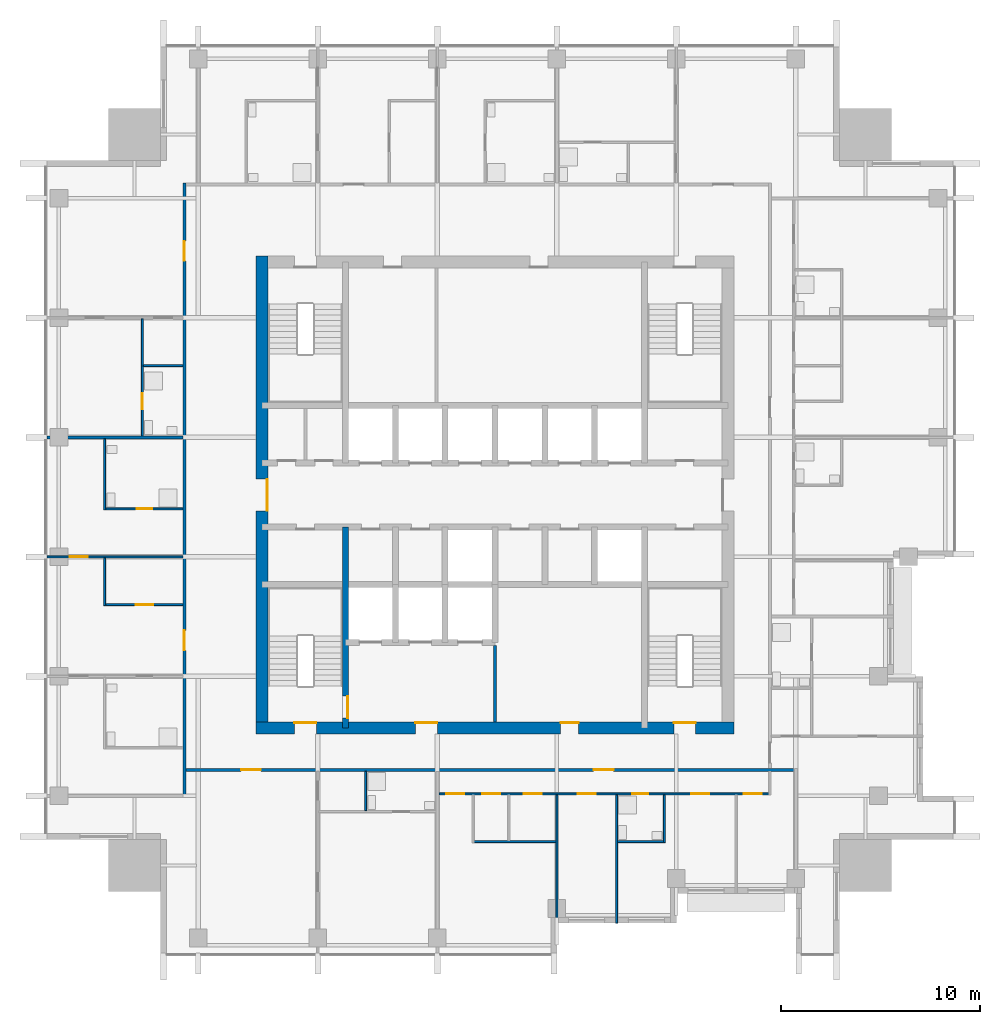
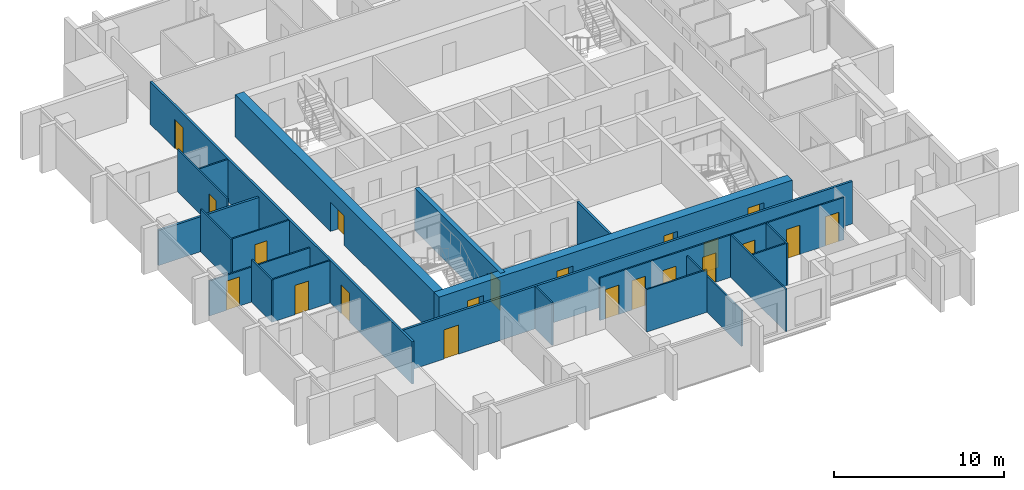
# One storey, part 4 of 10: 21 doors, 21 walls, 21 openings.
"""IFC4 building model written with IfcOpenShell, lengths in metres."""

from ifc_helpers import new_model, si_unit, direction, frame, frame_2d, origin, place, context, subcontext, project, spatial, rectangle, extrude, material, layer, layer_set, type_object, element, fill, save


model = new_model("IFC4")

# Units and contexts
model_context = context("Model", 3, precision=1e-05, world=origin(), true_north=direction((0.0, 1.0)))
body_context = subcontext(model_context, "Body", "Model", "MODEL_VIEW")
ifc_project = project(units=[si_unit("LENGTHUNIT", "METRE"), si_unit("AREAUNIT", "SQUARE_METRE"), si_unit("VOLUMEUNIT", "CUBIC_METRE"), si_unit("PLANEANGLEUNIT", "RADIAN"), si_unit("MASSUNIT", "GRAM", prefix="KILO")], contexts=[model_context])

# Site, building, storey
site_placement = place(None, origin())
site = spatial("IfcSite", under=ifc_project, at=site_placement, CompositionType="ELEMENT")
building_placement = place(site_placement, origin())
building = spatial("IfcBuilding", under=site, at=building_placement, Name="Amberfall Residences", CompositionType="ELEMENT")
storey_placement = place(building_placement, frame((0.0, 0.0, 200.199951171875)))
storey = spatial("IfcBuildingStorey", under=building, at=storey_placement, Name="L53", CompositionType="ELEMENT", Elevation=200.199951171875)

# Wall, opening, door
ifc_material_1 = material(Name="Concrete C55", Category="concrete")
ifc_layer_1 = layer(ifc_material_1, 0.300048828125)
ifc_layer_set_1 = layer_set([ifc_layer_1], Name="Core wall 300 C55")
wall_type_1 = type_object("IfcWallType", Name="Core wall 300 C55", PredefinedType="SHEAR", material=ifc_layer_set_1)
wall_1_placement = place(storey_placement, frame((67.0, 33.800048828125, 0.0), z_axis=(0.0, 0.0, 1.0), x_axis=(0.0, 1.0, 0.0)))
wall_1 = element("IfcWall", 1, at=wall_1_placement, inside=storey, type_object=wall_type_1, Name="Core wall RW8 L53 V45S", PredefinedType="SHEAR", context=body_context, shape_type="SweptSolid", body=[
    extrude(rectangle(XDim=10.099853515625, YDim=0.300048828125, at=frame_2d((5.0498046875, 0.0))), origin(), (0.0, 0.0, 1.0), 3.050048828125),
])
opening_1_placement = place(wall_1_placement, frame((0.5, 0.0, 0.0)))
opening_1 = element("IfcOpeningElement", 2, at=opening_1_placement, cuts=wall_1, Name="Opening FL1", PredefinedType="OPENING", context=body_context, shape_type="SweptSolid", body=[
    extrude(rectangle(XDim=1.10009765625, YDim=2.10009765625, at=frame_2d((0.550048828125, 1.050048828125))), frame((0.0, 0.159912109375, 0.0), z_axis=(0.0, -1.0, 0.0), x_axis=(1.0, 0.0, 0.0)), (0.0, 0.0, 1.0), 0.320068359375),
])
ifc_material_2 = material(Name="Steel fire door set", Category="steel")
door_type_1 = type_object("IfcDoorType", Name="Firefighting lobby door 1100 x 2100", OperationType="SINGLE_SWING_LEFT", PredefinedType="DOOR", material=ifc_material_2)
door_1_placement = place(opening_1_placement, origin())
door_1 = element("IfcDoor", 3, at=door_1_placement, inside=storey, type_object=door_type_1, Name="FL1 L53", OperationType="SINGLE_SWING_RIGHT", OverallHeight=2.10009765625, OverallWidth=1.10009765625, PredefinedType="DOOR", context=body_context, shape_type="SweptSolid", body=[
    extrude(rectangle(XDim=1.10009765625, YDim=2.10009765625, at=frame_2d((0.550048828125, 1.050048828125))), frame((0.0, -0.08740234375, 0.0), z_axis=(0.0, -1.0, 0.0), x_axis=(1.0, 0.0, 0.0)), (0.0, 0.0, 1.0), 0.050048828125),
])
fill(opening_1, door_1)

# Wall, openings, doors
ifc_layer_2 = layer(ifc_material_1, 0.60009765625)
ifc_layer_set_2 = layer_set([ifc_layer_2], Name="Core wall 600 C55")
wall_type_2 = type_object("IfcWallType", Name="Core wall 600 C55", PredefinedType="SHEAR", material=ifc_layer_set_2)
wall_2_placement = place(storey_placement, frame((62.5, 33.800048828125, 0.0), z_axis=(0.0, 0.0, 1.0), x_axis=(1.0, 0.0, 0.0)))
wall_2 = element("IfcWall", 4, at=wall_2_placement, inside=storey, type_object=wall_type_2, Name="Core wall RW7 L53 OS", PredefinedType="SHEAR", context=body_context, shape_type="SweptSolid", body=[
    extrude(rectangle(XDim=24.0, YDim=0.60009765625, at=frame_2d((12.0, 0.0))), origin(), (0.0, 0.0, 1.0), 3.050048828125),
])
opening_2_placement = place(wall_2_placement, frame((1.925048828125, 0.0, 0.0)))
opening_2 = element("IfcOpeningElement", 5, at=opening_2_placement, cuts=wall_2, Name="Opening SD1", PredefinedType="OPENING", context=body_context, shape_type="SweptSolid", body=[
    extrude(rectangle(XDim=1.10009765625, YDim=2.10009765625, at=frame_2d((0.550048828125, 1.050048828125))), frame((0.0, 0.31005859375, 0.0), z_axis=(0.0, -1.0, 0.0), x_axis=(1.0, 0.0, 0.0)), (0.0, 0.0, 1.0), 0.6201171875),
])
opening_3_placement = place(wall_2_placement, frame((20.97509765625, 0.0, 0.0)))
opening_3 = element("IfcOpeningElement", 6, at=opening_3_placement, cuts=wall_2, Name="Opening SD1", PredefinedType="OPENING", context=body_context, shape_type="SweptSolid", body=[
    extrude(rectangle(XDim=1.10009765625, YDim=2.10009765625, at=frame_2d((0.550048828125, 1.050048828125))), frame((0.0, 0.31005859375, 0.0), z_axis=(0.0, -1.0, 0.0), x_axis=(1.0, 0.0, 0.0)), (0.0, 0.0, 1.0), 0.6201171875),
])
opening_4_placement = place(wall_2_placement, frame((8.0, 0.0, 0.0)))
opening_4 = element("IfcOpeningElement", 7, at=opening_4_placement, cuts=wall_2, Name="Opening FL1", PredefinedType="OPENING", context=body_context, shape_type="SweptSolid", body=[
    extrude(rectangle(XDim=1.10009765625, YDim=2.10009765625, at=frame_2d((0.550048828125, 1.050048828125))), frame((0.0, 0.31005859375, 0.0), z_axis=(0.0, -1.0, 0.0), x_axis=(1.0, 0.0, 0.0)), (0.0, 0.0, 1.0), 0.6201171875),
])
opening_5_placement = place(wall_2_placement, frame((15.300048828125, 0.0, 0.0)))
opening_5 = element("IfcOpeningElement", 8, at=opening_5_placement, cuts=wall_2, Name="Opening RD1", PredefinedType="OPENING", context=body_context, shape_type="SweptSolid", body=[
    extrude(rectangle(XDim=0.89990234375, YDim=2.10009765625, at=frame_2d((0.449951171875, 1.050048828125))), frame((0.0, 0.31005859375, 0.0), z_axis=(0.0, -1.0, 0.0), x_axis=(1.0, 0.0, 0.0)), (0.0, 0.0, 1.0), 0.6201171875),
])
door_2_placement = place(opening_4_placement, origin())
door_2 = element("IfcDoor", 9, at=door_2_placement, inside=storey, type_object=door_type_1, Name="FL1 L53", OperationType="SINGLE_SWING_LEFT", OverallHeight=2.10009765625, OverallWidth=1.10009765625, PredefinedType="DOOR", context=body_context, shape_type="SweptSolid", body=[
    extrude(rectangle(XDim=1.10009765625, YDim=2.10009765625, at=frame_2d((0.550048828125, 1.050048828125))), frame((0.0, 0.28759765625, 0.0), z_axis=(0.0, -1.0, 0.0), x_axis=(1.0, 0.0, 0.0)), (0.0, 0.0, 1.0), 0.050048828125),
])
fill(opening_4, door_2)
door_type_2 = type_object("IfcDoorType", Name="Service room door 900 x 2100", OperationType="SINGLE_SWING_LEFT", PredefinedType="DOOR", material=ifc_material_2)
door_3_placement = place(opening_5_placement, origin())
door_3 = element("IfcDoor", 10, at=door_3_placement, inside=storey, type_object=door_type_2, Name="RD1 L53", OperationType="SINGLE_SWING_LEFT", OverallHeight=2.10009765625, OverallWidth=0.89990234375, PredefinedType="DOOR", context=body_context, shape_type="SweptSolid", body=[
    extrude(rectangle(XDim=0.89990234375, YDim=2.10009765625, at=frame_2d((0.449951171875, 1.050048828125))), frame((0.0, 0.28759765625, 0.0), z_axis=(0.0, -1.0, 0.0), x_axis=(1.0, 0.0, 0.0)), (0.0, 0.0, 1.0), 0.050048828125),
])
fill(opening_5, door_3)
door_type_3 = type_object("IfcDoorType", Name="Stair door 1100 x 2100", OperationType="SINGLE_SWING_LEFT", PredefinedType="DOOR", material=ifc_material_2)
door_4_placement = place(opening_2_placement, origin())
door_4 = element("IfcDoor", 11, at=door_4_placement, inside=storey, type_object=door_type_3, Name="SD1 L53", OperationType="SINGLE_SWING_LEFT", OverallHeight=2.10009765625, OverallWidth=1.10009765625, PredefinedType="DOOR", context=body_context, shape_type="SweptSolid", body=[
    extrude(rectangle(XDim=1.10009765625, YDim=2.10009765625, at=frame_2d((0.550048828125, 1.050048828125))), frame((0.0, 0.28759765625, 0.0), z_axis=(0.0, -1.0, 0.0), x_axis=(1.0, 0.0, 0.0)), (0.0, 0.0, 1.0), 0.050048828125),
])
fill(opening_2, door_4)
door_5_placement = place(opening_3_placement, origin())
door_5 = element("IfcDoor", 12, at=door_5_placement, inside=storey, type_object=door_type_3, Name="SD1 L53", OperationType="SINGLE_SWING_RIGHT", OverallHeight=2.10009765625, OverallWidth=1.10009765625, PredefinedType="DOOR", context=body_context, shape_type="SweptSolid", body=[
    extrude(rectangle(XDim=1.10009765625, YDim=2.10009765625, at=frame_2d((0.550048828125, 1.050048828125))), frame((0.0, 0.28759765625, 0.0), z_axis=(0.0, -1.0, 0.0), x_axis=(1.0, 0.0, 0.0)), (0.0, 0.0, 1.0), 0.050048828125),
])
fill(opening_3, door_5)

# Wall, opening, door
wall_3_placement = place(storey_placement, frame((62.800048828125, 33.5, 0.0), z_axis=(0.0, 0.0, 1.0), x_axis=(0.0, 1.0, 0.0)))
wall_3 = element("IfcWall", 13, at=wall_3_placement, inside=storey, type_object=wall_type_2, Name="Core wall RW7 L53 OW", PredefinedType="SHEAR", context=body_context, shape_type="SweptSolid", body=[
    extrude(rectangle(XDim=24.0, YDim=0.60009765625, at=frame_2d((12.0, 0.0))), origin(), (0.0, 0.0, 1.0), 3.050048828125),
])
opening_6_placement = place(wall_3_placement, frame((11.199951171875, 0.0, 0.0)))
opening_6 = element("IfcOpeningElement", 14, at=opening_6_placement, cuts=wall_3, Name="Opening LB1", PredefinedType="OPENING", context=body_context, shape_type="SweptSolid", body=[
    extrude(rectangle(XDim=1.60009765625, YDim=2.10009765625, at=frame_2d((0.800048828125, 1.050048828125))), frame((0.0, 0.31005859375, 0.0), z_axis=(0.0, -1.0, 0.0), x_axis=(1.0, 0.0, 0.0)), (0.0, 0.0, 1.0), 0.6201171875),
])
door_type_4 = type_object("IfcDoorType", Name="Lift lobby double door 1600 x 2100", OperationType="DOUBLE_DOOR_SINGLE_SWING", PredefinedType="DOOR", material=ifc_material_2)
door_6_placement = place(opening_6_placement, origin())
door_6 = element("IfcDoor", 15, at=door_6_placement, inside=storey, type_object=door_type_4, Name="LB1 L53", OperationType="DOUBLE_DOOR_SINGLE_SWING", OverallHeight=2.10009765625, OverallWidth=1.60009765625, PredefinedType="DOOR", context=body_context, shape_type="SweptSolid", body=[
    extrude(rectangle(XDim=1.60009765625, YDim=2.10009765625, at=frame_2d((0.800048828125, 1.050048828125))), frame((0.0, -0.2373046875, 0.0), z_axis=(0.0, -1.0, 0.0), x_axis=(1.0, 0.0, 0.0)), (0.0, 0.0, 1.0), 0.050048828125),
])
fill(opening_6, door_6)

# Walls
ifc_material_3 = material(Name="Gypsum board on metal stud")
ifc_layer_3 = layer(ifc_material_3, 0.10009765625)
ifc_layer_set_3 = layer_set([ifc_layer_3], Name="Flat partition 100")
wall_type_3 = type_object("IfcWallType", Name="Flat partition 100", PredefinedType="PARTITIONING", material=ifc_layer_set_3)
wall_4_placement = place(storey_placement, frame((54.89990234375, 39.949951171875, 0.0), z_axis=(0.0, 0.0, 1.0), x_axis=(0.0, 1.0, 0.0)))
element("IfcWall", 16, at=wall_4_placement, inside=storey, type_object=wall_type_3, Name="Partition 002", PredefinedType="PARTITIONING", context=body_context, shape_type="SweptSolid", body=[
    extrude(rectangle(XDim=2.400146484375, YDim=0.10009765625, at=frame_2d((1.2001953125, 0.0))), origin(), (0.0, 0.0, 1.0), 3.050048828125),
])
wall_5_placement = place(storey_placement, frame((54.89990234375, 44.75, 0.0), z_axis=(0.0, 0.0, 1.0), x_axis=(0.0, 1.0, 0.0)))
element("IfcWall", 17, at=wall_5_placement, inside=storey, type_object=wall_type_3, Name="Partition 003", PredefinedType="PARTITIONING", context=body_context, shape_type="SweptSolid", body=[
    extrude(rectangle(XDim=3.574951171875, YDim=0.10009765625, at=frame_2d((1.78759765625, 0.0))), origin(), (0.0, 0.0, 1.0), 3.050048828125),
])

# Wall, opening, door
wall_6_placement = place(storey_placement, frame((56.800048828125, 54.35009765625, 0.0), z_axis=(0.0, 0.0, 1.0), x_axis=(0.0, -1.0, 0.0)))
wall_6 = element("IfcWall", 18, at=wall_6_placement, inside=storey, type_object=wall_type_3, Name="Partition 004", PredefinedType="PARTITIONING", context=body_context, shape_type="SweptSolid", body=[
    extrude(rectangle(XDim=5.875, YDim=0.10009765625, at=frame_2d((2.9375, 0.0))), origin(), (0.0, 0.0, 1.0), 3.050048828125),
])
opening_7_placement = place(wall_6_placement, frame((3.75, 0.0, 0.0)))
opening_7 = element("IfcOpeningElement", 19, at=opening_7_placement, cuts=wall_6, Name="Opening D42", PredefinedType="OPENING", context=body_context, shape_type="SweptSolid", body=[
    extrude(rectangle(XDim=0.800048828125, YDim=2.10009765625, at=frame_2d((0.39990234375, 1.050048828125))), frame((0.0, 0.06005859375, 0.0), z_axis=(0.0, -1.0, 0.0), x_axis=(1.0, 0.0, 0.0)), (0.0, 0.0, 1.0), 0.1201171875),
])
ifc_material_4 = material(Name="Timber", Category="wood")
door_type_5 = type_object("IfcDoorType", Name="Bathroom door 800 x 2100", OperationType="SINGLE_SWING_LEFT", PredefinedType="DOOR", material=ifc_material_4)
door_7_placement = place(opening_7_placement, origin())
door_7 = element("IfcDoor", 20, at=door_7_placement, inside=storey, type_object=door_type_5, Name="Door 5308 bath1", OperationType="SINGLE_SWING_LEFT", OverallHeight=2.10009765625, OverallWidth=0.800048828125, PredefinedType="DOOR", context=body_context, shape_type="SweptSolid", body=[
    extrude(rectangle(XDim=0.800048828125, YDim=2.10009765625, at=frame_2d((0.39990234375, 1.050048828125))), frame((0.0, 0.02490234375, 0.0), z_axis=(0.0, -1.0, 0.0), x_axis=(1.0, 0.0, 0.0)), (0.0, 0.0, 1.0), 0.050048828125),
])
fill(opening_7, door_7)

# Walls
wall_7_placement = place(storey_placement, frame((68.0, 29.64990234375, 0.0), z_axis=(0.0, 0.0, 1.0), x_axis=(0.0, 1.0, 0.0)))
element("IfcWall", 21, at=wall_7_placement, inside=storey, type_object=wall_type_3, Name="Partition 008", PredefinedType="PARTITIONING", context=body_context, shape_type="SweptSolid", body=[
    extrude(rectangle(XDim=1.97509765625, YDim=0.10009765625, at=frame_2d((0.987548828125, 0.0))), origin(), (0.0, 0.0, 1.0), 3.050048828125),
])
wall_8_placement = place(storey_placement, frame((77.60009765625, 24.0, 0.0), z_axis=(0.0, 0.0, 1.0), x_axis=(0.0, 1.0, 0.0)))
element("IfcWall", 22, at=wall_8_placement, inside=storey, type_object=wall_type_3, Name="Partition 014", PredefinedType="PARTITIONING", context=body_context, shape_type="SweptSolid", body=[
    extrude(rectangle(XDim=6.449951171875, YDim=0.10009765625, at=frame_2d((3.22509765625, 0.0))), origin(), (0.0, 0.0, 1.0), 2.590087890625),
])
wall_9_placement = place(storey_placement, frame((80.60009765625, 24.0, 0.0), z_axis=(0.0, 0.0, 1.0), x_axis=(0.0, 1.0, 0.0)))
element("IfcWall", 23, at=wall_9_placement, inside=storey, type_object=wall_type_3, Name="Partition 015", PredefinedType="PARTITIONING", context=body_context, shape_type="SweptSolid", body=[
    extrude(rectangle(XDim=6.449951171875, YDim=0.10009765625, at=frame_2d((3.22509765625, 0.0))), origin(), (0.0, 0.0, 1.0), 3.050048828125),
])
wall_10_placement = place(storey_placement, frame((83.0, 28.050048828125, 0.0), z_axis=(0.0, 0.0, 1.0), x_axis=(0.0, 1.0, 0.0)))
element("IfcWall", 24, at=wall_10_placement, inside=storey, type_object=wall_type_3, Name="Partition 017", PredefinedType="PARTITIONING", context=body_context, shape_type="SweptSolid", body=[
    extrude(rectangle(XDim=2.39990234375, YDim=0.10009765625, at=frame_2d((1.199951171875, 0.0))), origin(), (0.0, 0.0, 1.0), 3.050048828125),
])
wall_11_placement = place(storey_placement, frame((56.85009765625, 52.0, 0.0), z_axis=(0.0, 0.0, 1.0), x_axis=(1.0, 0.0, 0.0)))
element("IfcWall", 25, at=wall_11_placement, inside=storey, type_object=wall_type_3, Name="Partition 032", PredefinedType="PARTITIONING", context=body_context, shape_type="SweptSolid", body=[
    extrude(rectangle(XDim=1.974853515625, YDim=0.10009765625, at=frame_2d((0.9873046875, 0.0))), origin(), (0.0, 0.0, 1.0), 3.050048828125),
])

# Wall, opening, door
wall_12_placement = place(storey_placement, frame((54.949951171875, 44.800048828125, 0.0), z_axis=(0.0, 0.0, 1.0), x_axis=(1.0, 0.0, 0.0)))
wall_12 = element("IfcWall", 26, at=wall_12_placement, inside=storey, type_object=wall_type_3, Name="Partition 037", PredefinedType="PARTITIONING", context=body_context, shape_type="SweptSolid", body=[
    extrude(rectangle(XDim=3.875, YDim=0.10009765625, at=frame_2d((1.9375, 0.0))), origin(), (0.0, 0.0, 1.0), 3.050048828125),
])
opening_8_placement = place(wall_12_placement, frame((1.550048828125, 0.0, 0.0)))
opening_8 = element("IfcOpeningElement", 27, at=opening_8_placement, cuts=wall_12, Name="Opening D42", PredefinedType="OPENING", context=body_context, shape_type="SweptSolid", body=[
    extrude(rectangle(XDim=0.800048828125, YDim=2.10009765625, at=frame_2d((0.39990234375, 1.050048828125))), frame((0.0, 0.06005859375, 0.0), z_axis=(0.0, -1.0, 0.0), x_axis=(1.0, 0.0, 0.0)), (0.0, 0.0, 1.0), 0.1201171875),
])
door_8_placement = place(opening_8_placement, origin())
door_8 = element("IfcDoor", 28, at=door_8_placement, inside=storey, type_object=door_type_5, Name="Door 5307 bath2", OperationType="SINGLE_SWING_LEFT", OverallHeight=2.10009765625, OverallWidth=0.800048828125, PredefinedType="DOOR", context=body_context, shape_type="SweptSolid", body=[
    extrude(rectangle(XDim=0.800048828125, YDim=2.10009765625, at=frame_2d((0.39990234375, 1.050048828125))), frame((0.0, 0.02490234375, 0.0), z_axis=(0.0, -1.0, 0.0), x_axis=(1.0, 0.0, 0.0)), (0.0, 0.0, 1.0), 0.050048828125),
])
fill(opening_8, door_8)

wall_13_placement = place(storey_placement, frame((52.0, 42.39990234375, 0.0), z_axis=(0.0, 0.0, 1.0), x_axis=(1.0, 0.0, 0.0)))
wall_13 = element("IfcWall", 29, at=wall_13_placement, inside=storey, type_object=wall_type_3, Name="Partition 038", PredefinedType="PARTITIONING", context=body_context, shape_type="SweptSolid", body=[
    extrude(rectangle(XDim=6.824951171875, YDim=0.10009765625, at=frame_2d((3.41259765625, 0.0))), origin(), (0.0, 0.0, 1.0), 2.51611328125),
])
opening_9_placement = place(wall_13_placement, frame((1.14990234375, 0.0, 0.0)))
opening_9 = element("IfcOpeningElement", 30, at=opening_9_placement, cuts=wall_13, Name="Opening D41", PredefinedType="OPENING", context=body_context, shape_type="SweptSolid", body=[
    extrude(rectangle(XDim=0.89990234375, YDim=2.10009765625, at=frame_2d((0.449951171875, 1.050048828125))), frame((0.0, 0.06005859375, 0.0), z_axis=(0.0, -1.0, 0.0), x_axis=(1.0, 0.0, 0.0)), (0.0, 0.0, 1.0), 0.1201171875),
])
door_type_6 = type_object("IfcDoorType", Name="Internal door 900 x 2100", OperationType="SINGLE_SWING_LEFT", PredefinedType="DOOR", material=ifc_material_4)
door_9_placement = place(opening_9_placement, origin())
door_9 = element("IfcDoor", 31, at=door_9_placement, inside=storey, type_object=door_type_6, Name="Door 5307 bedroom2", OperationType="SINGLE_SWING_LEFT", OverallHeight=2.10009765625, OverallWidth=0.89990234375, PredefinedType="DOOR", context=body_context, shape_type="SweptSolid", body=[
    extrude(rectangle(XDim=0.89990234375, YDim=2.10009765625, at=frame_2d((0.449951171875, 1.050048828125))), frame((0.0, 0.02490234375, 0.0), z_axis=(0.0, -1.0, 0.0), x_axis=(1.0, 0.0, 0.0)), (0.0, 0.0, 1.0), 0.050048828125),
])
fill(opening_9, door_9)

wall_14_placement = place(storey_placement, frame((54.949951171875, 40.0, 0.0), z_axis=(0.0, 0.0, 1.0), x_axis=(1.0, 0.0, 0.0)))
wall_14 = element("IfcWall", 32, at=wall_14_placement, inside=storey, type_object=wall_type_3, Name="Partition 040", PredefinedType="PARTITIONING", context=body_context, shape_type="SweptSolid", body=[
    extrude(rectangle(XDim=3.875, YDim=0.10009765625, at=frame_2d((1.9375, 0.0))), origin(), (0.0, 0.0, 1.0), 3.050048828125),
])
opening_10_placement = place(wall_14_placement, frame((1.5, 0.0, 0.0)))
opening_10 = element("IfcOpeningElement", 33, at=opening_10_placement, cuts=wall_14, Name="Opening D41", PredefinedType="OPENING", context=body_context, shape_type="SweptSolid", body=[
    extrude(rectangle(XDim=0.89990234375, YDim=2.10009765625, at=frame_2d((0.449951171875, 1.050048828125))), frame((0.0, 0.06005859375, 0.0), z_axis=(0.0, -1.0, 0.0), x_axis=(1.0, 0.0, 0.0)), (0.0, 0.0, 1.0), 0.1201171875),
])
door_10_placement = place(opening_10_placement, origin())
door_10 = element("IfcDoor", 34, at=door_10_placement, inside=storey, type_object=door_type_6, Name="Door 5307 kitchen", OperationType="SINGLE_SWING_LEFT", OverallHeight=2.10009765625, OverallWidth=0.89990234375, PredefinedType="DOOR", context=body_context, shape_type="SweptSolid", body=[
    extrude(rectangle(XDim=0.89990234375, YDim=2.10009765625, at=frame_2d((0.449951171875, 1.050048828125))), frame((0.0, 0.02490234375, 0.0), z_axis=(0.0, -1.0, 0.0), x_axis=(1.0, 0.0, 0.0)), (0.0, 0.0, 1.0), 0.050048828125),
])
fill(opening_10, door_10)

# Wall, openings, doors
wall_15_placement = place(storey_placement, frame((88.25, 30.5, 0.0), z_axis=(0.0, 0.0, 1.0), x_axis=(-1.0, 0.0, 0.0)))
wall_15 = element("IfcWall", 35, at=wall_15_placement, inside=storey, type_object=wall_type_3, Name="Partition 045", PredefinedType="PARTITIONING", context=body_context, shape_type="SweptSolid", body=[
    extrude(rectangle(XDim=16.574951171875, YDim=0.10009765625, at=frame_2d((8.28759765625, 0.0))), origin(), (0.0, 0.0, 1.0), 3.050048828125),
])
opening_11_placement = place(wall_15_placement, frame((15.300048828125, 0.0, 0.0)))
opening_11 = element("IfcOpeningElement", 36, at=opening_11_placement, cuts=wall_15, Name="Opening D41", PredefinedType="OPENING", context=body_context, shape_type="SweptSolid", body=[
    extrude(rectangle(XDim=0.89990234375, YDim=2.10009765625, at=frame_2d((0.449951171875, 1.050048828125))), frame((0.0, 0.06005859375, 0.0), z_axis=(0.0, -1.0, 0.0), x_axis=(1.0, 0.0, 0.0)), (0.0, 0.0, 1.0), 0.1201171875),
])
opening_12_placement = place(wall_15_placement, frame((11.39990234375, 0.0, 0.0)))
opening_12 = element("IfcOpeningElement", 37, at=opening_12_placement, cuts=wall_15, Name="Opening D41", PredefinedType="OPENING", context=body_context, shape_type="SweptSolid", body=[
    extrude(rectangle(XDim=0.89990234375, YDim=2.10009765625, at=frame_2d((0.449951171875, 1.050048828125))), frame((0.0, 0.06005859375, 0.0), z_axis=(0.0, -1.0, 0.0), x_axis=(1.0, 0.0, 0.0)), (0.0, 0.0, 1.0), 0.1201171875),
])
opening_13_placement = place(wall_15_placement, frame((13.5, 0.0, 0.0)))
opening_13 = element("IfcOpeningElement", 38, at=opening_13_placement, cuts=wall_15, Name="Opening D41", PredefinedType="OPENING", context=body_context, shape_type="SweptSolid", body=[
    extrude(rectangle(XDim=0.89990234375, YDim=2.10009765625, at=frame_2d((0.449951171875, 1.050048828125))), frame((0.0, 0.06005859375, 0.0), z_axis=(0.0, -1.0, 0.0), x_axis=(1.0, 0.0, 0.0)), (0.0, 0.0, 1.0), 0.1201171875),
])
opening_14_placement = place(wall_15_placement, frame((8.699951171875, 0.0, 0.0)))
opening_14 = element("IfcOpeningElement", 39, at=opening_14_placement, cuts=wall_15, Name="Opening D41", PredefinedType="OPENING", context=body_context, shape_type="SweptSolid", body=[
    extrude(rectangle(XDim=0.89990234375, YDim=2.10009765625, at=frame_2d((0.449951171875, 1.050048828125))), frame((0.0, 0.06005859375, 0.0), z_axis=(0.0, -1.0, 0.0), x_axis=(1.0, 0.0, 0.0)), (0.0, 0.0, 1.0), 0.1201171875),
])
opening_15_placement = place(wall_15_placement, frame((3.0, 0.0, 0.0)))
opening_15 = element("IfcOpeningElement", 40, at=opening_15_placement, cuts=wall_15, Name="Opening D41", PredefinedType="OPENING", context=body_context, shape_type="SweptSolid", body=[
    extrude(rectangle(XDim=0.89990234375, YDim=2.10009765625, at=frame_2d((0.449951171875, 1.050048828125))), frame((0.0, 0.06005859375, 0.0), z_axis=(0.0, -1.0, 0.0), x_axis=(1.0, 0.0, 0.0)), (0.0, 0.0, 1.0), 0.1201171875),
])
opening_16_placement = place(wall_15_placement, frame((0.35009765625, 0.0, 0.0)))
opening_16 = element("IfcOpeningElement", 41, at=opening_16_placement, cuts=wall_15, Name="Opening D41", PredefinedType="OPENING", context=body_context, shape_type="SweptSolid", body=[
    extrude(rectangle(XDim=0.89990234375, YDim=2.10009765625, at=frame_2d((0.449951171875, 1.050048828125))), frame((0.0, 0.06005859375, 0.0), z_axis=(0.0, -1.0, 0.0), x_axis=(1.0, 0.0, 0.0)), (0.0, 0.0, 1.0), 0.1201171875),
])
opening_17_placement = place(wall_15_placement, frame((6.050048828125, 0.0, 0.0)))
opening_17 = element("IfcOpeningElement", 42, at=opening_17_placement, cuts=wall_15, Name="Opening D42", PredefinedType="OPENING", context=body_context, shape_type="SweptSolid", body=[
    extrude(rectangle(XDim=0.800048828125, YDim=2.10009765625, at=frame_2d((0.39990234375, 1.050048828125))), frame((0.0, 0.06005859375, 0.0), z_axis=(0.0, -1.0, 0.0), x_axis=(1.0, 0.0, 0.0)), (0.0, 0.0, 1.0), 0.1201171875),
])
door_11_placement = place(opening_17_placement, origin())
door_11 = element("IfcDoor", 43, at=door_11_placement, inside=storey, type_object=door_type_5, Name="Door 5302 bath1", OperationType="SINGLE_SWING_LEFT", OverallHeight=2.10009765625, OverallWidth=0.800048828125, PredefinedType="DOOR", context=body_context, shape_type="SweptSolid", body=[
    extrude(rectangle(XDim=0.800048828125, YDim=2.10009765625, at=frame_2d((0.39990234375, 1.050048828125))), frame((0.0, 0.02490234375, 0.0), z_axis=(0.0, -1.0, 0.0), x_axis=(1.0, 0.0, 0.0)), (0.0, 0.0, 1.0), 0.050048828125),
])
fill(opening_17, door_11)
door_12_placement = place(opening_11_placement, origin())
door_12 = element("IfcDoor", 44, at=door_12_placement, inside=storey, type_object=door_type_6, Name="Door 5302 living", OperationType="SINGLE_SWING_LEFT", OverallHeight=2.10009765625, OverallWidth=0.89990234375, PredefinedType="DOOR", context=body_context, shape_type="SweptSolid", body=[
    extrude(rectangle(XDim=0.89990234375, YDim=2.10009765625, at=frame_2d((0.449951171875, 1.050048828125))), frame((0.0, 0.02490234375, 0.0), z_axis=(0.0, -1.0, 0.0), x_axis=(1.0, 0.0, 0.0)), (0.0, 0.0, 1.0), 0.050048828125),
])
fill(opening_11, door_12)
door_13_placement = place(opening_12_placement, origin())
door_13 = element("IfcDoor", 45, at=door_13_placement, inside=storey, type_object=door_type_6, Name="Door 5302 kitchen", OperationType="SINGLE_SWING_LEFT", OverallHeight=2.10009765625, OverallWidth=0.89990234375, PredefinedType="DOOR", context=body_context, shape_type="SweptSolid", body=[
    extrude(rectangle(XDim=0.89990234375, YDim=2.10009765625, at=frame_2d((0.449951171875, 1.050048828125))), frame((0.0, 0.02490234375, 0.0), z_axis=(0.0, -1.0, 0.0), x_axis=(1.0, 0.0, 0.0)), (0.0, 0.0, 1.0), 0.050048828125),
])
fill(opening_12, door_13)
door_14_placement = place(opening_13_placement, origin())
door_14 = element("IfcDoor", 46, at=door_14_placement, inside=storey, type_object=door_type_6, Name="Door 5302 utility", OperationType="SINGLE_SWING_LEFT", OverallHeight=2.10009765625, OverallWidth=0.89990234375, PredefinedType="DOOR", context=body_context, shape_type="SweptSolid", body=[
    extrude(rectangle(XDim=0.89990234375, YDim=2.10009765625, at=frame_2d((0.449951171875, 1.050048828125))), frame((0.0, 0.02490234375, 0.0), z_axis=(0.0, -1.0, 0.0), x_axis=(1.0, 0.0, 0.0)), (0.0, 0.0, 1.0), 0.050048828125),
])
fill(opening_13, door_14)
door_15_placement = place(opening_14_placement, origin())
door_15 = element("IfcDoor", 47, at=door_15_placement, inside=storey, type_object=door_type_6, Name="Door 5302 bedroom1", OperationType="SINGLE_SWING_LEFT", OverallHeight=2.10009765625, OverallWidth=0.89990234375, PredefinedType="DOOR", context=body_context, shape_type="SweptSolid", body=[
    extrude(rectangle(XDim=0.89990234375, YDim=2.10009765625, at=frame_2d((0.449951171875, 1.050048828125))), frame((0.0, 0.02490234375, 0.0), z_axis=(0.0, -1.0, 0.0), x_axis=(1.0, 0.0, 0.0)), (0.0, 0.0, 1.0), 0.050048828125),
])
fill(opening_14, door_15)
door_16_placement = place(opening_15_placement, origin())
door_16 = element("IfcDoor", 48, at=door_16_placement, inside=storey, type_object=door_type_6, Name="Door 5302 bedroom2", OperationType="SINGLE_SWING_LEFT", OverallHeight=2.10009765625, OverallWidth=0.89990234375, PredefinedType="DOOR", context=body_context, shape_type="SweptSolid", body=[
    extrude(rectangle(XDim=0.89990234375, YDim=2.10009765625, at=frame_2d((0.449951171875, 1.050048828125))), frame((0.0, 0.02490234375, 0.0), z_axis=(0.0, -1.0, 0.0), x_axis=(1.0, 0.0, 0.0)), (0.0, 0.0, 1.0), 0.050048828125),
])
fill(opening_15, door_16)
door_17_placement = place(opening_16_placement, origin())
door_17 = element("IfcDoor", 49, at=door_17_placement, inside=storey, type_object=door_type_6, Name="Door 5302 bedroom3", OperationType="SINGLE_SWING_LEFT", OverallHeight=2.10009765625, OverallWidth=0.89990234375, PredefinedType="DOOR", context=body_context, shape_type="SweptSolid", body=[
    extrude(rectangle(XDim=0.89990234375, YDim=2.10009765625, at=frame_2d((0.449951171875, 1.050048828125))), frame((0.0, 0.02490234375, 0.0), z_axis=(0.0, -1.0, 0.0), x_axis=(1.0, 0.0, 0.0)), (0.0, 0.0, 1.0), 0.050048828125),
])
fill(opening_16, door_17)

# Walls
wall_16_placement = place(storey_placement, frame((73.449951171875, 28.10009765625, 0.0), z_axis=(0.0, 0.0, 1.0), x_axis=(1.0, 0.0, 0.0)))
element("IfcWall", 50, at=wall_16_placement, inside=storey, type_object=wall_type_3, Name="Partition 047", PredefinedType="PARTITIONING", context=body_context, shape_type="SweptSolid", body=[
    extrude(rectangle(XDim=4.10009765625, YDim=0.10009765625, at=frame_2d((2.050048828125, 0.0))), origin(), (0.0, 0.0, 1.0), 3.050048828125),
])
wall_17_placement = place(storey_placement, frame((80.64990234375, 28.10009765625, 0.0), z_axis=(0.0, 0.0, 1.0), x_axis=(1.0, 0.0, 0.0)))
element("IfcWall", 51, at=wall_17_placement, inside=storey, type_object=wall_type_3, Name="Partition 048", PredefinedType="PARTITIONING", context=body_context, shape_type="SweptSolid", body=[
    extrude(rectangle(XDim=2.300048828125, YDim=0.10009765625, at=frame_2d((1.14990234375, 0.0))), origin(), (0.0, 0.0, 1.0), 3.050048828125),
])

# Wall, openings, doors
ifc_material_5 = material(Name="Blockwork, plastered", Category="masonry")
ifc_layer_4 = layer(ifc_material_5, 0.14990234375)
ifc_layer_set_4 = layer_set([ifc_layer_4], Name="Flat separating wall 150")
wall_type_4 = type_object("IfcWallType", Name="Flat separating wall 150", PredefinedType="PARTITIONING", material=ifc_layer_set_4)
wall_18_placement = place(storey_placement, frame((58.89990234375, 30.324951171875, 0.0), z_axis=(0.0, 0.0, 1.0), x_axis=(0.0, 1.0, 0.0)))
wall_18 = element("IfcWall", 52, at=wall_18_placement, inside=storey, type_object=wall_type_4, Name="Separating wall 049", PredefinedType="PARTITIONING", context=body_context, shape_type="SweptSolid", body=[
    extrude(rectangle(XDim=30.85009765625, YDim=0.14990234375, at=frame_2d((15.425048828125, 0.0))), origin(), (0.0, 0.0, 1.0), 3.050048828125),
])
opening_18_placement = place(wall_18_placement, frame((7.375, 0.0, 0.0)))
opening_18 = element("IfcOpeningElement", 53, at=opening_18_placement, cuts=wall_18, Name="Opening D40", PredefinedType="OPENING", context=body_context, shape_type="SweptSolid", body=[
    extrude(rectangle(XDim=1.0, YDim=2.10009765625, at=frame_2d((0.5, 1.050048828125))), frame((0.0, 0.0849609375, 0.0), z_axis=(0.0, -1.0, 0.0), x_axis=(1.0, 0.0, 0.0)), (0.0, 0.0, 1.0), 0.169921875),
])
opening_19_placement = place(wall_18_placement, frame((26.925048828125, 0.0, 0.0)))
opening_19 = element("IfcOpeningElement", 54, at=opening_19_placement, cuts=wall_18, Name="Opening D40", PredefinedType="OPENING", context=body_context, shape_type="SweptSolid", body=[
    extrude(rectangle(XDim=1.0, YDim=2.10009765625, at=frame_2d((0.5, 1.050048828125))), frame((0.0, 0.0849609375, 0.0), z_axis=(0.0, -1.0, 0.0), x_axis=(1.0, 0.0, 0.0)), (0.0, 0.0, 1.0), 0.169921875),
])
ifc_material_6 = material(Name="Timber, fire-rated", Category="wood")
door_type_7 = type_object("IfcDoorType", Name="Flat entrance door FD60 1000 x 2100", OperationType="SINGLE_SWING_LEFT", PredefinedType="DOOR", material=ifc_material_6)
door_18_placement = place(opening_18_placement, origin())
door_18 = element("IfcDoor", 55, at=door_18_placement, inside=storey, type_object=door_type_7, Name="Door 5307 entrance", OperationType="SINGLE_SWING_LEFT", OverallHeight=2.10009765625, OverallWidth=1.0, PredefinedType="DOOR", context=body_context, shape_type="SweptSolid", body=[
    extrude(rectangle(XDim=1.0, YDim=2.10009765625, at=frame_2d((0.5, 1.050048828125))), frame((0.0, 0.02490234375, 0.0), z_axis=(0.0, -1.0, 0.0), x_axis=(1.0, 0.0, 0.0)), (0.0, 0.0, 1.0), 0.050048828125),
])
fill(opening_18, door_18)
door_19_placement = place(opening_19_placement, origin())
door_19 = element("IfcDoor", 56, at=door_19_placement, inside=storey, type_object=door_type_7, Name="Door 5308 entrance", OperationType="SINGLE_SWING_LEFT", OverallHeight=2.10009765625, OverallWidth=1.0, PredefinedType="DOOR", context=body_context, shape_type="SweptSolid", body=[
    extrude(rectangle(XDim=1.0, YDim=2.10009765625, at=frame_2d((0.5, 1.050048828125))), frame((0.0, 0.02490234375, 0.0), z_axis=(0.0, -1.0, 0.0), x_axis=(1.0, 0.0, 0.0)), (0.0, 0.0, 1.0), 0.050048828125),
])
fill(opening_19, door_19)

# Wall
wall_19_placement = place(storey_placement, frame((52.0, 48.39990234375, 0.0), z_axis=(0.0, 0.0, 1.0), x_axis=(1.0, 0.0, 0.0)))
element("IfcWall", 57, at=wall_19_placement, inside=storey, type_object=wall_type_4, Name="Separating wall 057", PredefinedType="PARTITIONING", context=body_context, shape_type="SweptSolid", body=[
    extrude(rectangle(XDim=6.824951171875, YDim=0.14990234375, at=frame_2d((3.41259765625, 0.0))), origin(), (0.0, 0.0, 1.0), 2.51611328125),
])

# Wall, openings, doors
wall_20_placement = place(storey_placement, frame((89.52490234375, 31.699951171875, 0.0), z_axis=(0.0, 0.0, 1.0), x_axis=(-1.0, 0.0, 0.0)))
wall_20 = element("IfcWall", 58, at=wall_20_placement, inside=storey, type_object=wall_type_4, Name="Separating wall 059", PredefinedType="PARTITIONING", context=body_context, shape_type="SweptSolid", body=[
    extrude(rectangle(XDim=30.5498046875, YDim=0.14990234375, at=frame_2d((15.27490234375, 0.0))), origin(), (0.0, 0.0, 1.0), 3.050048828125),
])
opening_20_placement = place(wall_20_placement, frame((26.77490234375, 0.0, 0.0)))
opening_20 = element("IfcOpeningElement", 59, at=opening_20_placement, cuts=wall_20, Name="Opening D40", PredefinedType="OPENING", context=body_context, shape_type="SweptSolid", body=[
    extrude(rectangle(XDim=1.0, YDim=2.10009765625, at=frame_2d((0.5, 1.050048828125))), frame((0.0, 0.0849609375, 0.0), z_axis=(0.0, -1.0, 0.0), x_axis=(1.0, 0.0, 0.0)), (0.0, 0.0, 1.0), 0.169921875),
])
opening_21_placement = place(wall_20_placement, frame((9.074951171875, 0.0, 0.0)))
opening_21 = element("IfcOpeningElement", 60, at=opening_21_placement, cuts=wall_20, Name="Opening D40", PredefinedType="OPENING", context=body_context, shape_type="SweptSolid", body=[
    extrude(rectangle(XDim=1.0, YDim=2.10009765625, at=frame_2d((0.5, 1.050048828125))), frame((0.0, 0.0849609375, 0.0), z_axis=(0.0, -1.0, 0.0), x_axis=(1.0, 0.0, 0.0)), (0.0, 0.0, 1.0), 0.169921875),
])
door_20_placement = place(opening_20_placement, origin())
door_20 = element("IfcDoor", 61, at=door_20_placement, inside=storey, type_object=door_type_7, Name="Door 5301 entrance", OperationType="SINGLE_SWING_LEFT", OverallHeight=2.10009765625, OverallWidth=1.0, PredefinedType="DOOR", context=body_context, shape_type="SweptSolid", body=[
    extrude(rectangle(XDim=1.0, YDim=2.10009765625, at=frame_2d((0.5, 1.050048828125))), frame((0.0, 0.02490234375, 0.0), z_axis=(0.0, -1.0, 0.0), x_axis=(1.0, 0.0, 0.0)), (0.0, 0.0, 1.0), 0.050048828125),
])
fill(opening_20, door_20)
door_21_placement = place(opening_21_placement, origin())
door_21 = element("IfcDoor", 62, at=door_21_placement, inside=storey, type_object=door_type_7, Name="Door 5302 entrance", OperationType="SINGLE_SWING_LEFT", OverallHeight=2.10009765625, OverallWidth=1.0, PredefinedType="DOOR", context=body_context, shape_type="SweptSolid", body=[
    extrude(rectangle(XDim=1.0, YDim=2.10009765625, at=frame_2d((0.5, 1.050048828125))), frame((0.0, 0.02490234375, 0.0), z_axis=(0.0, -1.0, 0.0), x_axis=(1.0, 0.0, 0.0)), (0.0, 0.0, 1.0), 0.050048828125),
])
fill(opening_21, door_21)

# Wall
ifc_material_7 = material(Name="Concrete blockwork", Category="masonry")
ifc_layer_5 = layer(ifc_material_7, 0.14990234375)
ifc_layer_set_5 = layer_set([ifc_layer_5], Name="Riser wall 150")
wall_type_5 = type_object("IfcWallType", Name="Riser wall 150", PredefinedType="PLUMBINGWALL", material=ifc_layer_set_5)
wall_21_placement = place(storey_placement, frame((74.5, 34.10009765625, 0.0), z_axis=(0.0, 0.0, 1.0), x_axis=(0.0, 1.0, 0.0)))
element("IfcWall", 63, at=wall_21_placement, inside=storey, type_object=wall_type_5, Name="L53 core wall PX", PredefinedType="PLUMBINGWALL", context=body_context, shape_type="SweptSolid", body=[
    extrude(rectangle(XDim=3.849853515625, YDim=0.14990234375, at=frame_2d((1.9248046875, 0.0))), origin(), (0.0, 0.0, 1.0), 3.050048828125),
])

save(model, "model.ifc")
